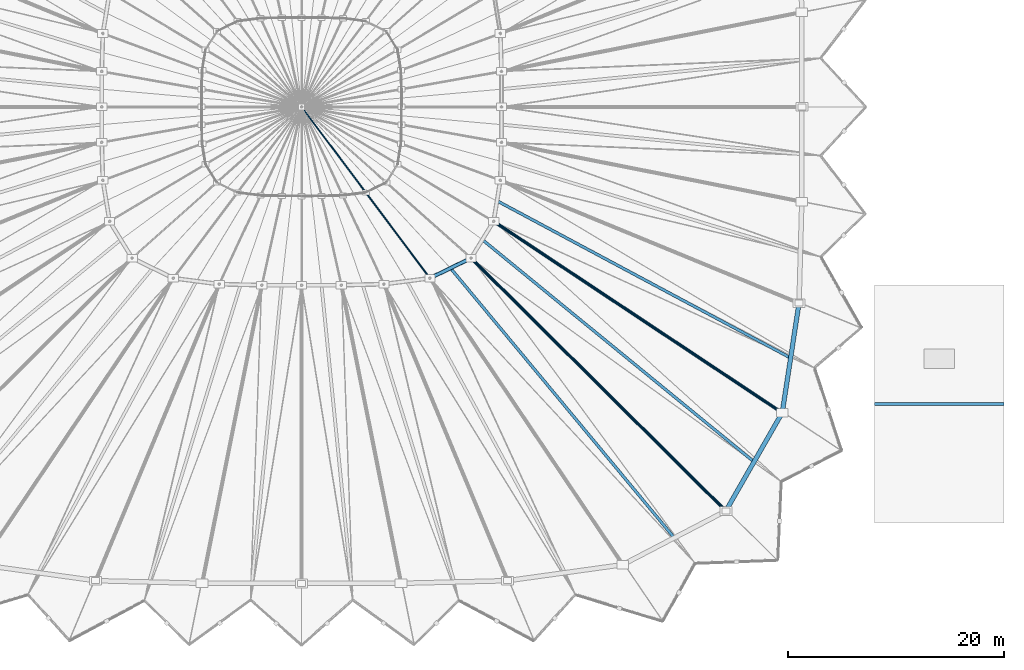
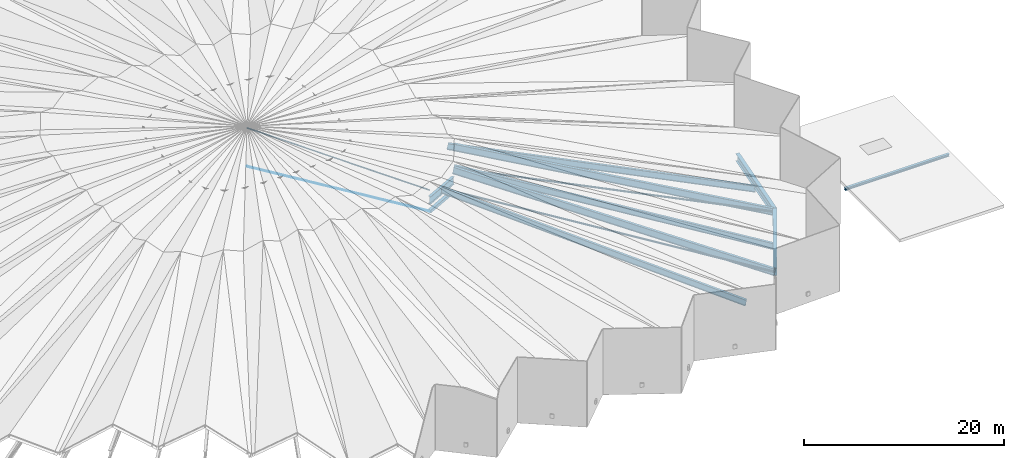
# One storey, part 19 of 41: 9 beams, 5 members.
"""IFC4 building model written with IfcOpenShell, lengths in metres."""

from ifc_helpers import new_model, si_unit, direction, frame, origin, origin_2d, place, context, subcontext, project, spatial, hollow_rectangle, circle, hollow_circle, i_section, extrude, material, material_profile, profile_set, type_object, element, save


model = new_model("IFC4")

# Units and contexts
model_context = context("Model", 3, precision=1e-05, world=origin(), true_north=direction((0.0, 1.0)))
body_context = subcontext(model_context, "Body", "Model", "MODEL_VIEW")
ifc_project = project(units=[si_unit("LENGTHUNIT", "METRE"), si_unit("AREAUNIT", "SQUARE_METRE"), si_unit("VOLUMEUNIT", "CUBIC_METRE"), si_unit("PLANEANGLEUNIT", "RADIAN"), si_unit("MASSUNIT", "GRAM", prefix="KILO")], contexts=[model_context])

# Site, building, storey
site_placement = place(None, origin())
site = spatial("IfcSite", under=ifc_project, at=site_placement, CompositionType="ELEMENT")
building_placement = place(site_placement, origin())
building = spatial("IfcBuilding", under=site, at=building_placement, Name="Luwafu Chhajja Arena", CompositionType="ELEMENT")
storey_placement = place(building_placement, frame((0.0, 0.0, 29.699951171875)))
storey = spatial("IfcBuildingStorey", under=building, at=storey_placement, Name="RF", CompositionType="ELEMENT", Elevation=29.699951171875)

# Beams
ifc_material_1 = material(Name="Steel S355", Category="steel")
ifc_material_profile_1 = material_profile(ifc_material_1, i_section(OverallWidth=0.29248046875, OverallDepth=0.8408203125, WebThickness=0.0146484375, FlangeThickness=0.021728515625, at=origin_2d()), Name="UB 838x292x194")
ifc_profile_set_1 = profile_set([ifc_material_profile_1], Name="Steel S355")
beam_type_1 = type_object("IfcBeamType", Name="Folded Roof Ridge Girder UB 838x292x194", PredefinedType="BEAM", material=ifc_profile_set_1)
beam_1_placement = place(storey_placement, frame((138.256103515625, 12.109130859375, 0.179931640625), z_axis=(-0.696441850284, 0.691435577104, 0.192056220643), x_axis=(-0.70455156187, -0.709652800083, 0.0)))
element("IfcBeam", 1, at=beam_1_placement, inside=storey, type_object=beam_type_1, Name="Roof truss ridge beam FR-29", PredefinedType="BEAM", context=body_context, shape_type="SweptSolid", body=[
    extrude(i_section(OverallWidth=0.29248046875, OverallDepth=0.8408203125, WebThickness=0.0146484375, FlangeThickness=0.021728515625, at=origin_2d()), origin(), (0.0, 0.0, 1.0), 33.84423828125),
])
beam_2_placement = place(storey_placement, frame((143.47607421875, 21.194091796875, 0.179931640625), z_axis=(-0.816684064873, 0.541768182582, 0.198782228895), x_axis=(-0.552800033918, -0.833313939941, 0.0)))
element("IfcBeam", 2, at=beam_2_placement, inside=storey, type_object=beam_type_1, Name="Roof truss ridge beam FR-30", PredefinedType="BEAM", context=body_context, shape_type="SweptSolid", body=[
    extrude(i_section(OverallWidth=0.29248046875, OverallDepth=0.8408203125, WebThickness=0.0146484375, FlangeThickness=0.021728515625, at=origin_2d()), origin(), (0.0, 0.0, 1.0), 32.69921875),
])
ifc_material_profile_2 = material_profile(ifc_material_1, i_section(OverallWidth=0.2666015625, OverallDepth=0.76220703125, WebThickness=0.014404296875, FlangeThickness=0.021484375, at=origin_2d()), Name="UB 762x267x173")
ifc_profile_set_2 = profile_set([ifc_material_profile_2], Name="Steel S355")
beam_type_2 = type_object("IfcBeamType", Name="Folded Roof Valley Girder UB 762x267x173", PredefinedType="BEAM", material=ifc_profile_set_2)
beam_3_placement = place(storey_placement, frame((133.487060546875, 9.623291015625, -0.3798828125), z_axis=(-0.628231662991, 0.757156292795, 0.178995323672), x_axis=(-0.769585151023, -0.638544199978, 0.0)))
element("IfcBeam", 3, at=beam_3_placement, inside=storey, type_object=beam_type_2, Name="Roof truss valley beam FV-28", PredefinedType="BEAM", context=body_context, shape_type="SweptSolid", body=[
    extrude(i_section(OverallWidth=0.2666015625, OverallDepth=0.76220703125, WebThickness=0.014404296875, FlangeThickness=0.021484375, at=origin_2d()), origin(), (0.0, 0.0, 1.0), 32.961181640625),
])
beam_4_placement = place(storey_placement, frame((140.8662109375, 16.651611328125, -0.3798828125), z_axis=(-0.761626564411, 0.622873300209, 0.178756337706), x_axis=(-0.633069920546, -0.774094616762, 0.0)))
element("IfcBeam", 4, at=beam_4_placement, inside=storey, type_object=beam_type_2, Name="Roof truss valley beam FV-29", PredefinedType="BEAM", context=body_context, shape_type="SweptSolid", body=[
    extrude(i_section(OverallWidth=0.2666015625, OverallDepth=0.76220703125, WebThickness=0.014404296875, FlangeThickness=0.021484375, at=origin_2d()), origin(), (0.0, 0.0, 1.0), 33.00537109375),
])
beam_5_placement = place(storey_placement, frame((144.254150390625, 26.2666015625, -0.3798828125), z_axis=(-0.865969211117, 0.463403274803, 0.188028535862), x_axis=(-0.471818840575, -0.881695515288, 0.0)))
element("IfcBeam", 5, at=beam_5_placement, inside=storey, type_object=beam_type_2, Name="Roof truss valley beam FV-30", PredefinedType="BEAM", context=body_context, shape_type="SweptSolid", body=[
    extrude(i_section(OverallWidth=0.2666015625, OverallDepth=0.76220703125, WebThickness=0.014404296875, FlangeThickness=0.021484375, at=origin_2d()), origin(), (0.0, 0.0, 1.0), 31.377685546875),
])
ifc_material_profile_3 = material_profile(ifc_material_1, i_section(OverallWidth=0.305419921875, OverallDepth=0.91845703125, WebThickness=0.017333984375, FlangeThickness=0.02783203125, at=origin_2d()), Name="UB 914x305x253")
ifc_profile_set_3 = profile_set([ifc_material_profile_3], Name="Steel S355")
beam_type_3 = type_object("IfcBeamType", Name="Inner Tension Ring Girder UB 914x305x253", PredefinedType="BEAM", material=ifc_profile_set_3)
beam_6_placement = place(storey_placement, frame((110.874267578125, 33.64990234375, 5.449951171875), z_axis=(0.898657766994, 0.438650450611, 0.0), x_axis=(-0.438650450611, 0.898657766994, 0.0)))
element("IfcBeam", 6, at=beam_6_placement, inside=storey, type_object=beam_type_3, Name="Roof Inner Tension Ring Beam IR-28", PredefinedType="BEAM", context=body_context, shape_type="SweptSolid", body=[
    extrude(i_section(OverallWidth=0.305419921875, OverallDepth=0.91845703125, WebThickness=0.017333984375, FlangeThickness=0.02783203125, at=origin_2d()), origin(), (0.0, 0.0, 1.0), 4.240966796875),
])

# Members
ifc_material_2 = material(Name="Steel S460", Category="steel")
ifc_material_profile_4 = material_profile(ifc_material_2, circle(Radius=0.054931640625, at=origin_2d()), Name="CABLE D110")
ifc_profile_set_4 = profile_set([ifc_material_profile_4], Name="Steel S460")
member_type_1 = type_object("IfcMemberType", Name="Oculus Radial Main Cable D110", PredefinedType="USERDEFINED", material=ifc_profile_set_4)
member_1_placement = place(storey_placement, frame((110.874267578125, 33.64990234375, 6.679931640625), z_axis=(-0.596163636686, 0.795775554022, 0.106443346033), x_axis=(-0.800322370403, -0.599569932062, 0.0)))
element("IfcMember", 7, at=member_1_placement, inside=storey, type_object=member_type_1, Name="Cable net main cable CBM-28", ObjectType="CABLE", PredefinedType="USERDEFINED", context=body_context, shape_type="SweptSolid", body=[
    extrude(circle(Radius=0.054931640625, at=origin_2d()), origin(), (0.0, 0.0, 1.0), 19.917724609375),
])
ifc_material_profile_5 = material_profile(ifc_material_2, circle(Radius=0.047607421875, at=origin_2d()), Name="CABLE D95")
ifc_profile_set_5 = profile_set([ifc_material_profile_5], Name="Steel S460")
member_type_2 = type_object("IfcMemberType", Name="Oculus Radial Stabilizing Cable D95", PredefinedType="USERDEFINED", material=ifc_profile_set_5)
member_2_placement = place(storey_placement, frame((110.874267578125, 33.64990234375, 4.10009765625), z_axis=(-0.599569932062, 0.800322370403, 0.0), x_axis=(-0.800322370403, -0.599569932062, 0.0)))
element("IfcMember", 8, at=member_2_placement, inside=storey, type_object=member_type_2, Name="Cable net radial split stabilizing cable CBS-28", ObjectType="CABLE", PredefinedType="USERDEFINED", context=body_context, shape_type="SweptSolid", body=[
    extrude(circle(Radius=0.047607421875, at=origin_2d()), origin(), (0.0, 0.0, 1.0), 19.8046875),
])

# Beams
ifc_material_profile_6 = material_profile(ifc_material_1, i_section(OverallWidth=0.41845703125, OverallDepth=0.911865234375, WebThickness=0.019287109375, FlangeThickness=0.031982421875, at=origin_2d()), Name="UB 914x419x343")
ifc_profile_set_6 = profile_set([ifc_material_profile_6], Name="Steel S355")
beam_type_4 = type_object("IfcBeamType", Name="Outer Compression Ring Girder UB 914x419x343", PredefinedType="BEAM", material=ifc_profile_set_6)
beam_7_placement = place(storey_placement, frame((138.256103515625, 12.109130859375, 0.179931640625), z_axis=(0.498192671921, 0.867066353657, 0.0), x_axis=(-0.867066353657, 0.498192671921, 0.0)))
element("IfcBeam", 9, at=beam_7_placement, inside=storey, type_object=beam_type_4, Name="Roof Outer Compression Ring Beam OR-29", PredefinedType="BEAM", context=body_context, shape_type="SweptSolid", body=[
    extrude(i_section(OverallWidth=0.41845703125, OverallDepth=0.911865234375, WebThickness=0.019287109375, FlangeThickness=0.031982421875, at=origin_2d()), origin(), (0.0, 0.0, 1.0), 10.477783203125),
])
beam_8_placement = place(storey_placement, frame((143.47607421875, 21.194091796875, 0.179931640625), z_axis=(0.1515977802, 0.988442265911, 0.0), x_axis=(-0.988442265911, 0.1515977802, 0.0)))
element("IfcBeam", 10, at=beam_8_placement, inside=storey, type_object=beam_type_4, Name="Roof Outer Compression Ring Beam OR-30", PredefinedType="BEAM", context=body_context, shape_type="SweptSolid", body=[
    extrude(i_section(OverallWidth=0.41845703125, OverallDepth=0.911865234375, WebThickness=0.019287109375, FlangeThickness=0.031982421875, at=origin_2d()), origin(), (0.0, 0.0, 1.0), 10.263427734375),
])

# Members
ifc_material_profile_7 = material_profile(ifc_material_1, hollow_rectangle(XDim=0.35009765625, YDim=0.35009765625, WallThickness=0.01611328125, at=origin_2d()), Name="SHS 350x350x16")
ifc_profile_set_7 = profile_set([ifc_material_profile_7], Name="Steel S355")
member_type_3 = type_object("IfcMemberType", Name="Ring Stabilizing Truss Chord SHS 350", PredefinedType="CHORD", material=ifc_profile_set_7)
member_3_placement = place(storey_placement, frame((110.874267578125, 33.64990234375, 4.10009765625), z_axis=(0.898657766994, 0.438650450611, 0.0), x_axis=(-0.438650450611, 0.898657766994, 0.0)))
element("IfcMember", 11, at=member_3_placement, inside=storey, type_object=member_type_3, Name="Roof Inner Stabilizing Ring Chord IRC-28", PredefinedType="CHORD", context=body_context, shape_type="SweptSolid", body=[
    extrude(hollow_rectangle(XDim=0.35009765625, YDim=0.35009765625, WallThickness=0.01611328125, at=origin_2d()), origin(), (0.0, 0.0, 1.0), 4.240966796875),
])
ifc_material_profile_8 = material_profile(ifc_material_1, hollow_circle(Radius=0.109619140625, WallThickness=0.010009765625, at=origin_2d()), Name="CHS 219.1x10")
ifc_profile_set_8 = profile_set([ifc_material_profile_8], Name="Steel S355")
member_type_4 = type_object("IfcMemberType", Name="Roof Plan Wind Plan Brace CHS 219", PredefinedType="BRACE", material=ifc_profile_set_8)
member_4_placement = place(storey_placement, frame((138.256103515625, 12.109130859375, 0.179931640625), z_axis=(-0.704761004197, 0.699694929963, 0.117213190164), x_axis=(-0.70455156187, -0.709652800083, 0.0)))
element("IfcMember", 12, at=member_4_placement, inside=storey, type_object=member_type_4, Name="Roof truss diagonal web RW-29", PredefinedType="BRACE", context=body_context, shape_type="SweptSolid", body=[
    extrude(hollow_circle(Radius=0.109619140625, WallThickness=0.010009765625, at=origin_2d()), origin(), (0.0, 0.0, 1.0), 33.44482421875),
])
member_5_placement = place(storey_placement, frame((143.47607421875, 21.194091796875, 0.179931640625), z_axis=(-0.827148215095, 0.548709843245, 0.121422148686), x_axis=(-0.552800033918, -0.833313939941, 0.0)))
element("IfcMember", 13, at=member_5_placement, inside=storey, type_object=member_type_4, Name="Roof truss diagonal web RW-30", PredefinedType="BRACE", context=body_context, shape_type="SweptSolid", body=[
    extrude(hollow_circle(Radius=0.109619140625, WallThickness=0.010009765625, at=origin_2d()), origin(), (0.0, 0.0, 1.0), 32.285400390625),
])

# Beam
ifc_material_profile_9 = material_profile(ifc_material_1, i_section(OverallWidth=0.300048828125, OverallDepth=0.300048828125, WebThickness=0.010986328125, FlangeThickness=0.01904296875, at=origin_2d()), Name="HEB 300")
ifc_profile_set_9 = profile_set([ifc_material_profile_9], Name="Steel S355")
beam_type_5 = type_object("IfcBeamType", Name="Steel Core Cap Beam HEB 300", PredefinedType="BEAM", material=ifc_profile_set_9)
beam_9_placement = place(storey_placement, frame((152.0, 22.0, -0.52001953125), z_axis=(1.0, 0.0, 0.0), x_axis=(0.0, 1.0, 0.0)))
element("IfcBeam", 14, at=beam_9_placement, inside=storey, type_object=beam_type_5, Name="RF Core C2 Cap Beam M", PredefinedType="BEAM", context=body_context, shape_type="SweptSolid", body=[
    extrude(i_section(OverallWidth=0.300048828125, OverallDepth=0.300048828125, WebThickness=0.010986328125, FlangeThickness=0.01904296875, at=origin_2d()), origin(), (0.0, 0.0, 1.0), 12.0),
])

save(model, "model.ifc")
